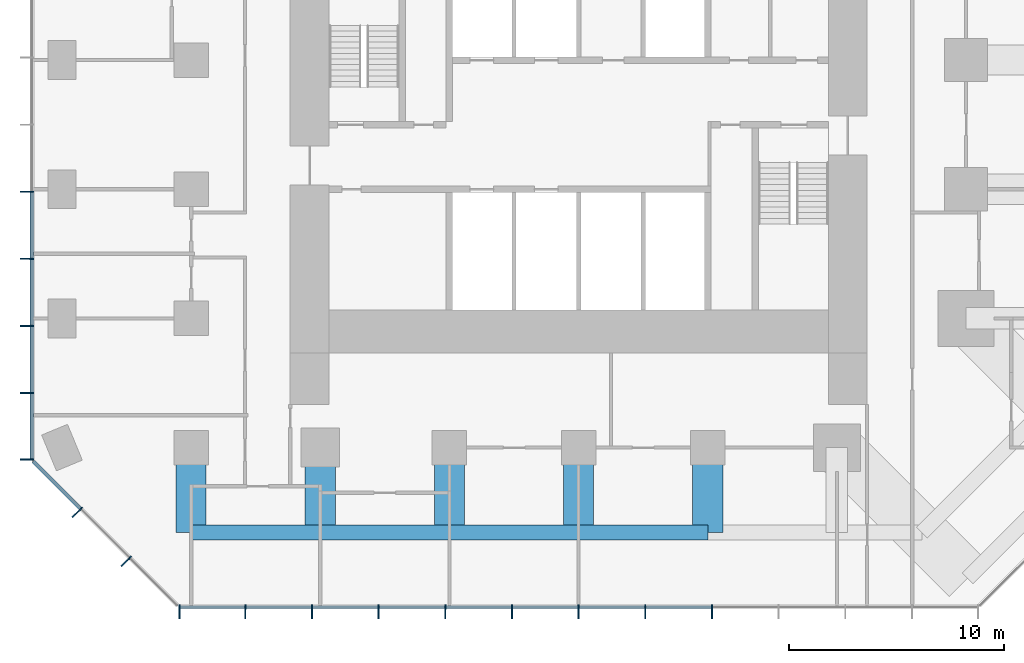
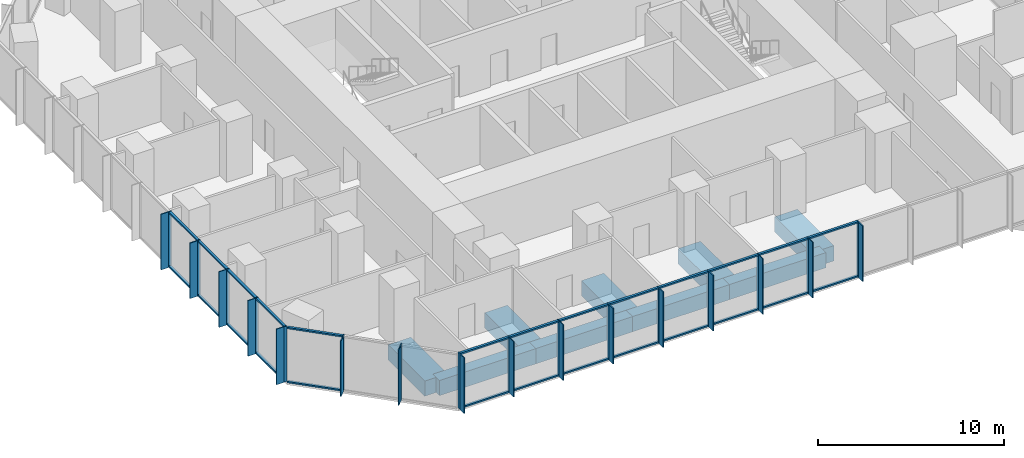
# One storey, part 2 of 12: 58 members, 9 beams, 3 elements without a shape of their own.
"""IFC4 building model written with IfcOpenShell, lengths in metres."""

from ifc_helpers import new_model, si_unit, direction, frame, origin, origin_2d, place, context, subcontext, project, spatial, rectangle, extrude, material, layer, layer_set, material_profile, profile_set, type_object, element, aggregate, save


model = new_model("IFC4")

# Units and contexts
model_context = context("Model", 3, precision=1e-05, world=origin(), true_north=direction((0.0, 1.0)))
body_context = subcontext(model_context, "Body", "Model", "MODEL_VIEW")
ifc_project = project(units=[si_unit("LENGTHUNIT", "METRE"), si_unit("AREAUNIT", "SQUARE_METRE"), si_unit("VOLUMEUNIT", "CUBIC_METRE"), si_unit("PLANEANGLEUNIT", "RADIAN"), si_unit("MASSUNIT", "GRAM", prefix="KILO")], contexts=[model_context])

# Site, building, storey
site_placement = place(None, origin())
site = spatial("IfcSite", under=ifc_project, at=site_placement, CompositionType="ELEMENT")
building_placement = place(site_placement, origin())
building = spatial("IfcBuilding", under=site, at=building_placement, Name="Highveld Stack Headquarters", CompositionType="ELEMENT")
storey_placement = place(building_placement, frame((0.0, 0.0, 160.10009765625)))
storey = spatial("IfcBuildingStorey", under=building, at=storey_placement, Name="L39", CompositionType="ELEMENT", Elevation=160.10009765625)

# Beams
ifc_material_1 = material(Name="Concrete C60/75", Category="concrete")
ifc_material_profile_1 = material_profile(ifc_material_1, rectangle(XDim=1.39990234375, YDim=1.0, at=origin_2d()), Name="RC 1400x1000")
ifc_profile_set_1 = profile_set([ifc_material_profile_1], Name="Concrete C60/75")
beam_type_1 = type_object("IfcBeamType", Name="CANTILEVER RIB RC 1400x1000", PredefinedType="USERDEFINED", material=ifc_profile_set_1)
for number, where, z_axis, x_axis, name in (
    (1, (-12.0, -12.0, -0.75), (0.0, -1.0, 0.0), (1.0, 0.0, 0.0), "Cantilever rib 4/C L39"),
    (2, (-6.0, -12.0, -0.75), (0.0, -1.0, 0.0), (1.0, 0.0, 0.0), "Cantilever rib 5/C L39"),
    (3, (0.0, -12.0, -0.75), (0.0, -1.0, 0.0), (1.0, 0.0, 0.0), "Cantilever rib 6/C L39"),
    (4, (6.0, -12.0, -0.75), (0.0, -1.0, 0.0), (1.0, 0.0, 0.0), "Cantilever rib 7/C L39"),
    (5, (12.0, -12.0, -0.75), (0.0, -1.0, 0.0), (1.0, 0.0, 0.0), "Cantilever rib 8/C L39"),
):
    element("IfcBeam", number, at=place(storey_placement, frame(where, z_axis=z_axis, x_axis=x_axis)), inside=storey, type_object=beam_type_1, Name=name, ObjectType="CANTILEVER RIB", PredefinedType="USERDEFINED", context=body_context, shape_type="SweptSolid", body=[
        extrude(rectangle(XDim=1.39990234375, YDim=1.0, at=origin_2d()), origin(), (0.0, 0.0, 1.0), 3.949951171875),
    ])

# Curtain wall, members
ifc_material_2 = material(Name="Aluminium bronze anodised", Category="aluminium")
ifc_layer_1 = layer(ifc_material_2, 0.199951171875)
ifc_layer_set_1 = layer_set([ifc_layer_1], Name="Aluminium bronze anodised")
curtain_wall_type_1 = type_object("IfcCurtainWallType", Name="CW1 TOWER UNITISED CURTAIN WALL", PredefinedType="NOTDEFINED", material=ifc_layer_set_1)
curtain_wall_1_placement = place(storey_placement, origin())
curtain_wall_1 = element("IfcCurtainWall", 6, at=curtain_wall_1_placement, inside=storey, type_object=curtain_wall_type_1, Name="Curtain wall CW1 L39 S", PredefinedType="NOTDEFINED")
ifc_material_3 = material(Name="Aluminium bronze anodised", Category="aluminium")
ifc_material_profile_2 = material_profile(ifc_material_3, rectangle(XDim=0.449951171875, YDim=0.06005859375, at=origin_2d()), Name="FIN 450x60")
ifc_profile_set_2 = profile_set([ifc_material_profile_2], Name="Aluminium bronze anodised")
member_type_1 = type_object("IfcMemberType", Name="CW1 BRONZE FIN 450x60", PredefinedType="USERDEFINED", material=ifc_profile_set_2)
member_1_placement = place(storey_placement, frame((-12.54736328125, -19.72509765625, 0.0), z_axis=(0.0, 0.0, 1.0), x_axis=(0.0, 1.0, 0.0)))
member_1 = element("IfcMember", 7, at=member_1_placement, type_object=member_type_1, Name="CW1 fin L39 1", ObjectType="FIN", PredefinedType="USERDEFINED", context=body_context, shape_type="SweptSolid", body=[
    extrude(rectangle(XDim=0.449951171875, YDim=0.06005859375, at=origin_2d()), origin(), (0.0, 0.0, 1.0), 3.64990234375),
])
member_2_placement = place(storey_placement, frame((-9.483154296875, -19.72509765625, 0.0), z_axis=(0.0, 0.0, 1.0), x_axis=(0.0, 1.0, 0.0)))
member_2 = element("IfcMember", 8, at=member_2_placement, type_object=member_type_1, Name="CW1 fin L39 2", ObjectType="FIN", PredefinedType="USERDEFINED", context=body_context, shape_type="SweptSolid", body=[
    extrude(rectangle(XDim=0.449951171875, YDim=0.06005859375, at=origin_2d()), origin(), (0.0, 0.0, 1.0), 3.64990234375),
])
member_3_placement = place(storey_placement, frame((-6.38671875, -19.72509765625, 0.0), z_axis=(0.0, 0.0, 1.0), x_axis=(0.0, 1.0, 0.0)))
member_3 = element("IfcMember", 9, at=member_3_placement, type_object=member_type_1, Name="CW1 fin L39 3", ObjectType="FIN", PredefinedType="USERDEFINED", context=body_context, shape_type="SweptSolid", body=[
    extrude(rectangle(XDim=0.449951171875, YDim=0.06005859375, at=origin_2d()), origin(), (0.0, 0.0, 1.0), 3.64990234375),
])
member_4_placement = place(storey_placement, frame((-3.2900390625, -19.72509765625, 0.0), z_axis=(0.0, 0.0, 1.0), x_axis=(0.0, 1.0, 0.0)))
member_4 = element("IfcMember", 10, at=member_4_placement, type_object=member_type_1, Name="CW1 fin L39 4", ObjectType="FIN", PredefinedType="USERDEFINED", context=body_context, shape_type="SweptSolid", body=[
    extrude(rectangle(XDim=0.449951171875, YDim=0.06005859375, at=origin_2d()), origin(), (0.0, 0.0, 1.0), 3.64990234375),
])
member_5_placement = place(storey_placement, frame((-0.193359375, -19.72509765625, 0.0), z_axis=(0.0, 0.0, 1.0), x_axis=(0.0, 1.0, 0.0)))
member_5 = element("IfcMember", 11, at=member_5_placement, type_object=member_type_1, Name="CW1 fin L39 5", ObjectType="FIN", PredefinedType="USERDEFINED", context=body_context, shape_type="SweptSolid", body=[
    extrude(rectangle(XDim=0.449951171875, YDim=0.06005859375, at=origin_2d()), origin(), (0.0, 0.0, 1.0), 3.64990234375),
])
member_6_placement = place(storey_placement, frame((2.9033203125, -19.72509765625, 0.0), z_axis=(0.0, 0.0, 1.0), x_axis=(0.0, 1.0, 0.0)))
member_6 = element("IfcMember", 12, at=member_6_placement, type_object=member_type_1, Name="CW1 fin L39 6", ObjectType="FIN", PredefinedType="USERDEFINED", context=body_context, shape_type="SweptSolid", body=[
    extrude(rectangle(XDim=0.449951171875, YDim=0.06005859375, at=origin_2d()), origin(), (0.0, 0.0, 1.0), 3.64990234375),
])
member_7_placement = place(storey_placement, frame((6.0, -19.72509765625, 0.0), z_axis=(0.0, 0.0, 1.0), x_axis=(0.0, 1.0, 0.0)))
member_7 = element("IfcMember", 13, at=member_7_placement, type_object=member_type_1, Name="CW1 fin L39 7", ObjectType="FIN", PredefinedType="USERDEFINED", context=body_context, shape_type="SweptSolid", body=[
    extrude(rectangle(XDim=0.449951171875, YDim=0.06005859375, at=origin_2d()), origin(), (0.0, 0.0, 1.0), 3.64990234375),
])
member_8_placement = place(storey_placement, frame((9.0966796875, -19.72509765625, 0.0), z_axis=(0.0, 0.0, 1.0), x_axis=(0.0, 1.0, 0.0)))
member_8 = element("IfcMember", 14, at=member_8_placement, type_object=member_type_1, Name="CW1 fin L39 8", ObjectType="FIN", PredefinedType="USERDEFINED", context=body_context, shape_type="SweptSolid", body=[
    extrude(rectangle(XDim=0.449951171875, YDim=0.06005859375, at=origin_2d()), origin(), (0.0, 0.0, 1.0), 3.64990234375),
])
member_9_placement = place(storey_placement, frame((12.193359375, -19.72509765625, 0.0), z_axis=(0.0, 0.0, 1.0), x_axis=(0.0, 1.0, 0.0)))
member_9 = element("IfcMember", 15, at=member_9_placement, type_object=member_type_1, Name="CW1 fin L39 9", ObjectType="FIN", PredefinedType="USERDEFINED", context=body_context, shape_type="SweptSolid", body=[
    extrude(rectangle(XDim=0.449951171875, YDim=0.06005859375, at=origin_2d()), origin(), (0.0, 0.0, 1.0), 3.64990234375),
])

curtain_wall_2_placement = place(storey_placement, origin())
curtain_wall_2 = element("IfcCurtainWall", 16, at=curtain_wall_2_placement, inside=storey, type_object=curtain_wall_type_1, Name="Curtain wall CW1 L39 W", PredefinedType="NOTDEFINED")
member_10_placement = place(storey_placement, frame((-19.72509765625, -0.115966796875, 0.0), z_axis=(0.0, 0.0, 1.0), x_axis=(1.0, 0.0, 0.0)))
member_10 = element("IfcMember", 17, at=member_10_placement, type_object=member_type_1, Name="CW1 fin L39 7", ObjectType="FIN", PredefinedType="USERDEFINED", context=body_context, shape_type="SweptSolid", body=[
    extrude(rectangle(XDim=0.449951171875, YDim=0.06005859375, at=origin_2d()), origin(), (0.0, 0.0, 1.0), 3.64990234375),
])
member_11_placement = place(storey_placement, frame((-19.72509765625, -3.23193359375, 0.0), z_axis=(0.0, 0.0, 1.0), x_axis=(1.0, 0.0, 0.0)))
member_11 = element("IfcMember", 18, at=member_11_placement, type_object=member_type_1, Name="CW1 fin L39 8", ObjectType="FIN", PredefinedType="USERDEFINED", context=body_context, shape_type="SweptSolid", body=[
    extrude(rectangle(XDim=0.449951171875, YDim=0.06005859375, at=origin_2d()), origin(), (0.0, 0.0, 1.0), 3.64990234375),
])
member_12_placement = place(storey_placement, frame((-19.72509765625, -6.347900390625, 0.0), z_axis=(0.0, 0.0, 1.0), x_axis=(1.0, 0.0, 0.0)))
member_12 = element("IfcMember", 19, at=member_12_placement, type_object=member_type_1, Name="CW1 fin L39 9", ObjectType="FIN", PredefinedType="USERDEFINED", context=body_context, shape_type="SweptSolid", body=[
    extrude(rectangle(XDim=0.449951171875, YDim=0.06005859375, at=origin_2d()), origin(), (0.0, 0.0, 1.0), 3.64990234375),
])
member_13_placement = place(storey_placement, frame((-19.72509765625, -9.4638671875, 0.0), z_axis=(0.0, 0.0, 1.0), x_axis=(1.0, 0.0, 0.0)))
member_13 = element("IfcMember", 20, at=member_13_placement, type_object=member_type_1, Name="CW1 fin L39 10", ObjectType="FIN", PredefinedType="USERDEFINED", context=body_context, shape_type="SweptSolid", body=[
    extrude(rectangle(XDim=0.449951171875, YDim=0.06005859375, at=origin_2d()), origin(), (0.0, 0.0, 1.0), 3.64990234375),
])
member_14_placement = place(storey_placement, frame((-19.72509765625, -12.54736328125, 0.0), z_axis=(0.0, 0.0, 1.0), x_axis=(1.0, 0.0, 0.0)))
member_14 = element("IfcMember", 21, at=member_14_placement, type_object=member_type_1, Name="CW1 fin L39 11", ObjectType="FIN", PredefinedType="USERDEFINED", context=body_context, shape_type="SweptSolid", body=[
    extrude(rectangle(XDim=0.449951171875, YDim=0.06005859375, at=origin_2d()), origin(), (0.0, 0.0, 1.0), 3.64990234375),
])

# Member
ifc_material_4 = material(Name="Aluminium bronze anodised", Category="aluminium")
ifc_material_profile_3 = material_profile(ifc_material_4, rectangle(XDim=0.199951171875, YDim=0.06494140625, at=origin_2d()), Name="CW1 MULLION 65x200")
ifc_profile_set_3 = profile_set([ifc_material_profile_3], Name="Aluminium bronze anodised")
member_type_2 = type_object("IfcMemberType", Name="CW1 MULLION 65x200", PredefinedType="MULLION", material=ifc_profile_set_3)
member_15_placement = place(storey_placement, frame((-12.54736328125, -19.39990234375, 0.0), z_axis=(0.0, 0.0, 1.0), x_axis=(0.0, 1.0, 0.0)))
member_15 = element("IfcMember", 22, at=member_15_placement, type_object=member_type_2, Name="CW1 mullion L39 1", PredefinedType="MULLION", context=body_context, shape_type="SweptSolid", body=[
    extrude(rectangle(XDim=0.199951171875, YDim=0.06494140625, at=origin_2d()), origin(), (0.0, 0.0, 1.0), 3.64990234375),
])

member_16_placement = place(storey_placement, frame((-9.483154296875, -19.39990234375, 0.0), z_axis=(0.0, 0.0, 1.0), x_axis=(0.0, 1.0, 0.0)))
member_16 = element("IfcMember", 23, at=member_16_placement, type_object=member_type_2, Name="CW1 mullion L39 2", PredefinedType="MULLION", context=body_context, shape_type="SweptSolid", body=[
    extrude(rectangle(XDim=0.199951171875, YDim=0.06494140625, at=origin_2d()), origin(), (0.0, 0.0, 1.0), 3.64990234375),
])

member_17_placement = place(storey_placement, frame((-6.38671875, -19.39990234375, 0.0), z_axis=(0.0, 0.0, 1.0), x_axis=(0.0, 1.0, 0.0)))
member_17 = element("IfcMember", 24, at=member_17_placement, type_object=member_type_2, Name="CW1 mullion L39 3", PredefinedType="MULLION", context=body_context, shape_type="SweptSolid", body=[
    extrude(rectangle(XDim=0.199951171875, YDim=0.06494140625, at=origin_2d()), origin(), (0.0, 0.0, 1.0), 3.64990234375),
])

member_18_placement = place(storey_placement, frame((-3.2900390625, -19.39990234375, 0.0), z_axis=(0.0, 0.0, 1.0), x_axis=(0.0, 1.0, 0.0)))
member_18 = element("IfcMember", 25, at=member_18_placement, type_object=member_type_2, Name="CW1 mullion L39 4", PredefinedType="MULLION", context=body_context, shape_type="SweptSolid", body=[
    extrude(rectangle(XDim=0.199951171875, YDim=0.06494140625, at=origin_2d()), origin(), (0.0, 0.0, 1.0), 3.64990234375),
])

member_19_placement = place(storey_placement, frame((-0.193359375, -19.39990234375, 0.0), z_axis=(0.0, 0.0, 1.0), x_axis=(0.0, 1.0, 0.0)))
member_19 = element("IfcMember", 26, at=member_19_placement, type_object=member_type_2, Name="CW1 mullion L39 5", PredefinedType="MULLION", context=body_context, shape_type="SweptSolid", body=[
    extrude(rectangle(XDim=0.199951171875, YDim=0.06494140625, at=origin_2d()), origin(), (0.0, 0.0, 1.0), 3.64990234375),
])

member_20_placement = place(storey_placement, frame((2.9033203125, -19.39990234375, 0.0), z_axis=(0.0, 0.0, 1.0), x_axis=(0.0, 1.0, 0.0)))
member_20 = element("IfcMember", 27, at=member_20_placement, type_object=member_type_2, Name="CW1 mullion L39 6", PredefinedType="MULLION", context=body_context, shape_type="SweptSolid", body=[
    extrude(rectangle(XDim=0.199951171875, YDim=0.06494140625, at=origin_2d()), origin(), (0.0, 0.0, 1.0), 3.64990234375),
])

member_21_placement = place(storey_placement, frame((6.0, -19.39990234375, 0.0), z_axis=(0.0, 0.0, 1.0), x_axis=(0.0, 1.0, 0.0)))
member_21 = element("IfcMember", 28, at=member_21_placement, type_object=member_type_2, Name="CW1 mullion L39 7", PredefinedType="MULLION", context=body_context, shape_type="SweptSolid", body=[
    extrude(rectangle(XDim=0.199951171875, YDim=0.06494140625, at=origin_2d()), origin(), (0.0, 0.0, 1.0), 3.64990234375),
])

member_22_placement = place(storey_placement, frame((9.0966796875, -19.39990234375, 0.0), z_axis=(0.0, 0.0, 1.0), x_axis=(0.0, 1.0, 0.0)))
member_22 = element("IfcMember", 29, at=member_22_placement, type_object=member_type_2, Name="CW1 mullion L39 8", PredefinedType="MULLION", context=body_context, shape_type="SweptSolid", body=[
    extrude(rectangle(XDim=0.199951171875, YDim=0.06494140625, at=origin_2d()), origin(), (0.0, 0.0, 1.0), 3.64990234375),
])

member_23_placement = place(storey_placement, frame((12.193359375, -19.39990234375, 0.0), z_axis=(0.0, 0.0, 1.0), x_axis=(0.0, 1.0, 0.0)))
member_23 = element("IfcMember", 30, at=member_23_placement, type_object=member_type_2, Name="CW1 mullion L39 9", PredefinedType="MULLION", context=body_context, shape_type="SweptSolid", body=[
    extrude(rectangle(XDim=0.199951171875, YDim=0.06494140625, at=origin_2d()), origin(), (0.0, 0.0, 1.0), 3.64990234375),
])

member_24_placement = place(storey_placement, frame((-19.39990234375, -0.115966796875, 0.0), z_axis=(0.0, 0.0, 1.0), x_axis=(1.0, 0.0, 0.0)))
member_24 = element("IfcMember", 31, at=member_24_placement, type_object=member_type_2, Name="CW1 mullion L39 7", PredefinedType="MULLION", context=body_context, shape_type="SweptSolid", body=[
    extrude(rectangle(XDim=0.199951171875, YDim=0.06494140625, at=origin_2d()), origin(), (0.0, 0.0, 1.0), 3.64990234375),
])

member_25_placement = place(storey_placement, frame((-19.39990234375, -3.23193359375, 0.0), z_axis=(0.0, 0.0, 1.0), x_axis=(1.0, 0.0, 0.0)))
member_25 = element("IfcMember", 32, at=member_25_placement, type_object=member_type_2, Name="CW1 mullion L39 8", PredefinedType="MULLION", context=body_context, shape_type="SweptSolid", body=[
    extrude(rectangle(XDim=0.199951171875, YDim=0.06494140625, at=origin_2d()), origin(), (0.0, 0.0, 1.0), 3.64990234375),
])

member_26_placement = place(storey_placement, frame((-19.39990234375, -6.347900390625, 0.0), z_axis=(0.0, 0.0, 1.0), x_axis=(1.0, 0.0, 0.0)))
member_26 = element("IfcMember", 33, at=member_26_placement, type_object=member_type_2, Name="CW1 mullion L39 9", PredefinedType="MULLION", context=body_context, shape_type="SweptSolid", body=[
    extrude(rectangle(XDim=0.199951171875, YDim=0.06494140625, at=origin_2d()), origin(), (0.0, 0.0, 1.0), 3.64990234375),
])

member_27_placement = place(storey_placement, frame((-19.39990234375, -9.4638671875, 0.0), z_axis=(0.0, 0.0, 1.0), x_axis=(1.0, 0.0, 0.0)))
member_27 = element("IfcMember", 34, at=member_27_placement, type_object=member_type_2, Name="CW1 mullion L39 10", PredefinedType="MULLION", context=body_context, shape_type="SweptSolid", body=[
    extrude(rectangle(XDim=0.199951171875, YDim=0.06494140625, at=origin_2d()), origin(), (0.0, 0.0, 1.0), 3.64990234375),
])

member_28_placement = place(storey_placement, frame((-19.39990234375, -12.54736328125, 0.0), z_axis=(0.0, 0.0, 1.0), x_axis=(1.0, 0.0, 0.0)))
member_28 = element("IfcMember", 35, at=member_28_placement, type_object=member_type_2, Name="CW1 mullion L39 11", PredefinedType="MULLION", context=body_context, shape_type="SweptSolid", body=[
    extrude(rectangle(XDim=0.199951171875, YDim=0.06494140625, at=origin_2d()), origin(), (0.0, 0.0, 1.0), 3.64990234375),
])

ifc_material_5 = material(Name="Aluminium bronze anodised", Category="aluminium")
ifc_material_profile_4 = material_profile(ifc_material_5, rectangle(XDim=0.14990234375, YDim=0.10009765625, at=origin_2d()), Name="CW1 TRANSOM 150x100")
ifc_profile_set_4 = profile_set([ifc_material_profile_4], Name="Aluminium bronze anodised")
member_type_3 = type_object("IfcMemberType", Name="CW1 STACK TRANSOM 150x100", PredefinedType="USERDEFINED", material=ifc_profile_set_4)
member_29_placement = place(storey_placement, frame((-12.514892578125, -19.39990234375, 0.0498046875), z_axis=(1.0, 0.0, 0.0), x_axis=(0.0, 1.0, 0.0)))
member_29 = element("IfcMember", 36, at=member_29_placement, type_object=member_type_3, Name="CW1 transom L39 1.1", ObjectType="TRANSOM", PredefinedType="USERDEFINED", context=body_context, shape_type="SweptSolid", body=[
    extrude(rectangle(XDim=0.14990234375, YDim=0.10009765625, at=origin_2d()), origin(), (0.0, 0.0, 1.0), 2.9990234375),
])

member_30_placement = place(storey_placement, frame((-12.514892578125, -19.39990234375, 3.599853515625), z_axis=(1.0, 0.0, 0.0), x_axis=(0.0, 1.0, 0.0)))
member_30 = element("IfcMember", 37, at=member_30_placement, type_object=member_type_3, Name="CW1 transom L39 1.2", ObjectType="TRANSOM", PredefinedType="USERDEFINED", context=body_context, shape_type="SweptSolid", body=[
    extrude(rectangle(XDim=0.14990234375, YDim=0.10009765625, at=origin_2d()), origin(), (0.0, 0.0, 1.0), 2.9990234375),
])

member_31_placement = place(storey_placement, frame((-9.45068359375, -19.39990234375, 0.0498046875), z_axis=(1.0, 0.0, 0.0), x_axis=(0.0, 1.0, 0.0)))
member_31 = element("IfcMember", 38, at=member_31_placement, type_object=member_type_3, Name="CW1 transom L39 2.1", ObjectType="TRANSOM", PredefinedType="USERDEFINED", context=body_context, shape_type="SweptSolid", body=[
    extrude(rectangle(XDim=0.14990234375, YDim=0.10009765625, at=origin_2d()), origin(), (0.0, 0.0, 1.0), 3.031494140625),
])

member_32_placement = place(storey_placement, frame((-9.45068359375, -19.39990234375, 3.599853515625), z_axis=(1.0, 0.0, 0.0), x_axis=(0.0, 1.0, 0.0)))
member_32 = element("IfcMember", 39, at=member_32_placement, type_object=member_type_3, Name="CW1 transom L39 2.2", ObjectType="TRANSOM", PredefinedType="USERDEFINED", context=body_context, shape_type="SweptSolid", body=[
    extrude(rectangle(XDim=0.14990234375, YDim=0.10009765625, at=origin_2d()), origin(), (0.0, 0.0, 1.0), 3.031494140625),
])

member_33_placement = place(storey_placement, frame((-6.35400390625, -19.39990234375, 0.0498046875), z_axis=(1.0, 0.0, 0.0), x_axis=(0.0, 1.0, 0.0)))
member_33 = element("IfcMember", 40, at=member_33_placement, type_object=member_type_3, Name="CW1 transom L39 3.1", ObjectType="TRANSOM", PredefinedType="USERDEFINED", context=body_context, shape_type="SweptSolid", body=[
    extrude(rectangle(XDim=0.14990234375, YDim=0.10009765625, at=origin_2d()), origin(), (0.0, 0.0, 1.0), 3.031494140625),
])

member_34_placement = place(storey_placement, frame((-6.35400390625, -19.39990234375, 3.599853515625), z_axis=(1.0, 0.0, 0.0), x_axis=(0.0, 1.0, 0.0)))
member_34 = element("IfcMember", 41, at=member_34_placement, type_object=member_type_3, Name="CW1 transom L39 3.2", ObjectType="TRANSOM", PredefinedType="USERDEFINED", context=body_context, shape_type="SweptSolid", body=[
    extrude(rectangle(XDim=0.14990234375, YDim=0.10009765625, at=origin_2d()), origin(), (0.0, 0.0, 1.0), 3.031494140625),
])

member_35_placement = place(storey_placement, frame((-3.257568359375, -19.39990234375, 0.0498046875), z_axis=(1.0, 0.0, 0.0), x_axis=(0.0, 1.0, 0.0)))
member_35 = element("IfcMember", 42, at=member_35_placement, type_object=member_type_3, Name="CW1 transom L39 4.1", ObjectType="TRANSOM", PredefinedType="USERDEFINED", context=body_context, shape_type="SweptSolid", body=[
    extrude(rectangle(XDim=0.14990234375, YDim=0.10009765625, at=origin_2d()), origin(), (0.0, 0.0, 1.0), 3.03173828125),
])

member_36_placement = place(storey_placement, frame((-3.257568359375, -19.39990234375, 3.599853515625), z_axis=(1.0, 0.0, 0.0), x_axis=(0.0, 1.0, 0.0)))
member_36 = element("IfcMember", 43, at=member_36_placement, type_object=member_type_3, Name="CW1 transom L39 4.2", ObjectType="TRANSOM", PredefinedType="USERDEFINED", context=body_context, shape_type="SweptSolid", body=[
    extrude(rectangle(XDim=0.14990234375, YDim=0.10009765625, at=origin_2d()), origin(), (0.0, 0.0, 1.0), 3.03173828125),
])

member_37_placement = place(storey_placement, frame((-0.160888671875, -19.39990234375, 0.0498046875), z_axis=(1.0, 0.0, 0.0), x_axis=(0.0, 1.0, 0.0)))
member_37 = element("IfcMember", 44, at=member_37_placement, type_object=member_type_3, Name="CW1 transom L39 5.1", ObjectType="TRANSOM", PredefinedType="USERDEFINED", context=body_context, shape_type="SweptSolid", body=[
    extrude(rectangle(XDim=0.14990234375, YDim=0.10009765625, at=origin_2d()), origin(), (0.0, 0.0, 1.0), 3.03173828125),
])

member_38_placement = place(storey_placement, frame((-0.160888671875, -19.39990234375, 3.599853515625), z_axis=(1.0, 0.0, 0.0), x_axis=(0.0, 1.0, 0.0)))
member_38 = element("IfcMember", 45, at=member_38_placement, type_object=member_type_3, Name="CW1 transom L39 5.2", ObjectType="TRANSOM", PredefinedType="USERDEFINED", context=body_context, shape_type="SweptSolid", body=[
    extrude(rectangle(XDim=0.14990234375, YDim=0.10009765625, at=origin_2d()), origin(), (0.0, 0.0, 1.0), 3.03173828125),
])

member_39_placement = place(storey_placement, frame((2.935791015625, -19.39990234375, 0.0498046875), z_axis=(1.0, 0.0, 0.0), x_axis=(0.0, 1.0, 0.0)))
member_39 = element("IfcMember", 46, at=member_39_placement, type_object=member_type_3, Name="CW1 transom L39 6.1", ObjectType="TRANSOM", PredefinedType="USERDEFINED", context=body_context, shape_type="SweptSolid", body=[
    extrude(rectangle(XDim=0.14990234375, YDim=0.10009765625, at=origin_2d()), origin(), (0.0, 0.0, 1.0), 3.03173828125),
])

member_40_placement = place(storey_placement, frame((2.935791015625, -19.39990234375, 3.599853515625), z_axis=(1.0, 0.0, 0.0), x_axis=(0.0, 1.0, 0.0)))
member_40 = element("IfcMember", 47, at=member_40_placement, type_object=member_type_3, Name="CW1 transom L39 6.2", ObjectType="TRANSOM", PredefinedType="USERDEFINED", context=body_context, shape_type="SweptSolid", body=[
    extrude(rectangle(XDim=0.14990234375, YDim=0.10009765625, at=origin_2d()), origin(), (0.0, 0.0, 1.0), 3.03173828125),
])

member_41_placement = place(storey_placement, frame((6.032470703125, -19.39990234375, 0.0498046875), z_axis=(1.0, 0.0, 0.0), x_axis=(0.0, 1.0, 0.0)))
member_41 = element("IfcMember", 48, at=member_41_placement, type_object=member_type_3, Name="CW1 transom L39 7.1", ObjectType="TRANSOM", PredefinedType="USERDEFINED", context=body_context, shape_type="SweptSolid", body=[
    extrude(rectangle(XDim=0.14990234375, YDim=0.10009765625, at=origin_2d()), origin(), (0.0, 0.0, 1.0), 3.03173828125),
])

member_42_placement = place(storey_placement, frame((6.032470703125, -19.39990234375, 3.599853515625), z_axis=(1.0, 0.0, 0.0), x_axis=(0.0, 1.0, 0.0)))
member_42 = element("IfcMember", 49, at=member_42_placement, type_object=member_type_3, Name="CW1 transom L39 7.2", ObjectType="TRANSOM", PredefinedType="USERDEFINED", context=body_context, shape_type="SweptSolid", body=[
    extrude(rectangle(XDim=0.14990234375, YDim=0.10009765625, at=origin_2d()), origin(), (0.0, 0.0, 1.0), 3.03173828125),
])

member_43_placement = place(storey_placement, frame((9.129150390625, -19.39990234375, 0.0498046875), z_axis=(1.0, 0.0, 0.0), x_axis=(0.0, 1.0, 0.0)))
member_43 = element("IfcMember", 50, at=member_43_placement, type_object=member_type_3, Name="CW1 transom L39 8.1", ObjectType="TRANSOM", PredefinedType="USERDEFINED", context=body_context, shape_type="SweptSolid", body=[
    extrude(rectangle(XDim=0.14990234375, YDim=0.10009765625, at=origin_2d()), origin(), (0.0, 0.0, 1.0), 3.03173828125),
])

member_44_placement = place(storey_placement, frame((9.129150390625, -19.39990234375, 3.599853515625), z_axis=(1.0, 0.0, 0.0), x_axis=(0.0, 1.0, 0.0)))
member_44 = element("IfcMember", 51, at=member_44_placement, type_object=member_type_3, Name="CW1 transom L39 8.2", ObjectType="TRANSOM", PredefinedType="USERDEFINED", context=body_context, shape_type="SweptSolid", body=[
    extrude(rectangle(XDim=0.14990234375, YDim=0.10009765625, at=origin_2d()), origin(), (0.0, 0.0, 1.0), 3.03173828125),
])

aggregate(curtain_wall_1, [member_15, member_1, member_16, member_2, member_17, member_3, member_18, member_4, member_19, member_5, member_20, member_6, member_21, member_7, member_22, member_8, member_23, member_9, member_29, member_30, member_31, member_32, member_33, member_34, member_35, member_36, member_37, member_38, member_39, member_40, member_41, member_42, member_43, member_44])

member_45_placement = place(storey_placement, frame((-19.39990234375, -0.1484375, 0.0498046875), z_axis=(0.0, -1.0, 0.0), x_axis=(1.0, 0.0, 0.0)))
member_45 = element("IfcMember", 52, at=member_45_placement, type_object=member_type_3, Name="CW1 transom L39 7.1", ObjectType="TRANSOM", PredefinedType="USERDEFINED", context=body_context, shape_type="SweptSolid", body=[
    extrude(rectangle(XDim=0.14990234375, YDim=0.10009765625, at=origin_2d()), origin(), (0.0, 0.0, 1.0), 3.051025390625),
])

member_46_placement = place(storey_placement, frame((-19.39990234375, -0.1484375, 3.599853515625), z_axis=(0.0, -1.0, 0.0), x_axis=(1.0, 0.0, 0.0)))
member_46 = element("IfcMember", 53, at=member_46_placement, type_object=member_type_3, Name="CW1 transom L39 7.2", ObjectType="TRANSOM", PredefinedType="USERDEFINED", context=body_context, shape_type="SweptSolid", body=[
    extrude(rectangle(XDim=0.14990234375, YDim=0.10009765625, at=origin_2d()), origin(), (0.0, 0.0, 1.0), 3.051025390625),
])

member_47_placement = place(storey_placement, frame((-19.39990234375, -3.264404296875, 0.0498046875), z_axis=(0.0, -1.0, 0.0), x_axis=(1.0, 0.0, 0.0)))
member_47 = element("IfcMember", 54, at=member_47_placement, type_object=member_type_3, Name="CW1 transom L39 8.1", ObjectType="TRANSOM", PredefinedType="USERDEFINED", context=body_context, shape_type="SweptSolid", body=[
    extrude(rectangle(XDim=0.14990234375, YDim=0.10009765625, at=origin_2d()), origin(), (0.0, 0.0, 1.0), 3.051025390625),
])

member_48_placement = place(storey_placement, frame((-19.39990234375, -3.264404296875, 3.599853515625), z_axis=(0.0, -1.0, 0.0), x_axis=(1.0, 0.0, 0.0)))
member_48 = element("IfcMember", 55, at=member_48_placement, type_object=member_type_3, Name="CW1 transom L39 8.2", ObjectType="TRANSOM", PredefinedType="USERDEFINED", context=body_context, shape_type="SweptSolid", body=[
    extrude(rectangle(XDim=0.14990234375, YDim=0.10009765625, at=origin_2d()), origin(), (0.0, 0.0, 1.0), 3.051025390625),
])

member_49_placement = place(storey_placement, frame((-19.39990234375, -6.38037109375, 0.0498046875), z_axis=(0.0, -1.0, 0.0), x_axis=(1.0, 0.0, 0.0)))
member_49 = element("IfcMember", 56, at=member_49_placement, type_object=member_type_3, Name="CW1 transom L39 9.1", ObjectType="TRANSOM", PredefinedType="USERDEFINED", context=body_context, shape_type="SweptSolid", body=[
    extrude(rectangle(XDim=0.14990234375, YDim=0.10009765625, at=origin_2d()), origin(), (0.0, 0.0, 1.0), 3.051025390625),
])

member_50_placement = place(storey_placement, frame((-19.39990234375, -6.38037109375, 3.599853515625), z_axis=(0.0, -1.0, 0.0), x_axis=(1.0, 0.0, 0.0)))
member_50 = element("IfcMember", 57, at=member_50_placement, type_object=member_type_3, Name="CW1 transom L39 9.2", ObjectType="TRANSOM", PredefinedType="USERDEFINED", context=body_context, shape_type="SweptSolid", body=[
    extrude(rectangle(XDim=0.14990234375, YDim=0.10009765625, at=origin_2d()), origin(), (0.0, 0.0, 1.0), 3.051025390625),
])

member_51_placement = place(storey_placement, frame((-19.39990234375, -9.496337890625, 0.0498046875), z_axis=(0.0, -1.0, 0.0), x_axis=(1.0, 0.0, 0.0)))
member_51 = element("IfcMember", 58, at=member_51_placement, type_object=member_type_3, Name="CW1 transom L39 10.1", ObjectType="TRANSOM", PredefinedType="USERDEFINED", context=body_context, shape_type="SweptSolid", body=[
    extrude(rectangle(XDim=0.14990234375, YDim=0.10009765625, at=origin_2d()), origin(), (0.0, 0.0, 1.0), 3.0185546875),
])

member_52_placement = place(storey_placement, frame((-19.39990234375, -9.496337890625, 3.599853515625), z_axis=(0.0, -1.0, 0.0), x_axis=(1.0, 0.0, 0.0)))
member_52 = element("IfcMember", 59, at=member_52_placement, type_object=member_type_3, Name="CW1 transom L39 10.2", ObjectType="TRANSOM", PredefinedType="USERDEFINED", context=body_context, shape_type="SweptSolid", body=[
    extrude(rectangle(XDim=0.14990234375, YDim=0.10009765625, at=origin_2d()), origin(), (0.0, 0.0, 1.0), 3.0185546875),
])

aggregate(curtain_wall_2, [member_24, member_10, member_25, member_11, member_26, member_12, member_27, member_13, member_28, member_14, member_45, member_46, member_47, member_48, member_49, member_50, member_51, member_52])

# Curtain wall, members
ifc_material_6 = material(Name="Aluminium bronze anodised", Category="aluminium")
ifc_layer_2 = layer(ifc_material_6, 0.199951171875)
ifc_layer_set_2 = layer_set([ifc_layer_2], Name="Aluminium bronze anodised")
curtain_wall_type_2 = type_object("IfcCurtainWallType", Name="CW2 TOWER CHAMFER UNITISED CURTAIN WALL", PredefinedType="NOTDEFINED", material=ifc_layer_set_2)
curtain_wall_3_placement = place(storey_placement, origin())
curtain_wall_3 = element("IfcCurtainWall", 60, at=curtain_wall_3_placement, inside=storey, type_object=curtain_wall_type_2, Name="Curtain wall CW2 L39 SW", PredefinedType="NOTDEFINED")
ifc_material_7 = material(Name="Aluminium bronze anodised", Category="aluminium")
ifc_material_profile_5 = material_profile(ifc_material_7, rectangle(XDim=0.449951171875, YDim=0.06005859375, at=origin_2d()), Name="FIN 450x60")
ifc_profile_set_5 = profile_set([ifc_material_profile_5], Name="Aluminium bronze anodised")
member_type_4 = type_object("IfcMemberType", Name="CW2 BRONZE FIN 450x60", PredefinedType="USERDEFINED", material=ifc_profile_set_5)
member_53_placement = place(storey_placement, frame((-17.3564453125, -15.0830078125, 0.0), z_axis=(0.0, 0.0, 1.0), x_axis=(0.707106781187, 0.707106781187, 0.0)))
member_53 = element("IfcMember", 61, at=member_53_placement, type_object=member_type_4, Name="CW2 fin L39 1", ObjectType="FIN", PredefinedType="USERDEFINED", context=body_context, shape_type="SweptSolid", body=[
    extrude(rectangle(XDim=0.449951171875, YDim=0.06005859375, at=origin_2d()), origin(), (0.0, 0.0, 1.0), 3.64990234375),
])
member_54_placement = place(storey_placement, frame((-15.0830078125, -17.3564453125, 0.0), z_axis=(0.0, 0.0, 1.0), x_axis=(0.707106781187, 0.707106781187, 0.0)))
member_54 = element("IfcMember", 62, at=member_54_placement, type_object=member_type_4, Name="CW2 fin L39 2", ObjectType="FIN", PredefinedType="USERDEFINED", context=body_context, shape_type="SweptSolid", body=[
    extrude(rectangle(XDim=0.449951171875, YDim=0.06005859375, at=origin_2d()), origin(), (0.0, 0.0, 1.0), 3.64990234375),
])
ifc_material_8 = material(Name="Aluminium bronze anodised", Category="aluminium")
ifc_material_profile_6 = material_profile(ifc_material_8, rectangle(XDim=0.199951171875, YDim=0.06494140625, at=origin_2d()), Name="CW2 MULLION 65x200")
ifc_profile_set_6 = profile_set([ifc_material_profile_6], Name="Aluminium bronze anodised")
member_type_5 = type_object("IfcMemberType", Name="CW2 MULLION 65x200", PredefinedType="MULLION", material=ifc_profile_set_6)
member_55_placement = place(storey_placement, frame((-17.126708984375, -14.853271484375, 0.0), z_axis=(0.0, 0.0, 1.0), x_axis=(0.707106781187, 0.707106781187, 0.0)))
member_55 = element("IfcMember", 63, at=member_55_placement, type_object=member_type_5, Name="CW2 mullion L39 1", PredefinedType="MULLION", context=body_context, shape_type="SweptSolid", body=[
    extrude(rectangle(XDim=0.199951171875, YDim=0.06494140625, at=origin_2d()), origin(), (0.0, 0.0, 1.0), 3.64990234375),
])
member_56_placement = place(storey_placement, frame((-14.853271484375, -17.126708984375, 0.0), z_axis=(0.0, 0.0, 1.0), x_axis=(0.707106781187, 0.707106781187, 0.0)))
member_56 = element("IfcMember", 64, at=member_56_placement, type_object=member_type_5, Name="CW2 mullion L39 2", PredefinedType="MULLION", context=body_context, shape_type="SweptSolid", body=[
    extrude(rectangle(XDim=0.199951171875, YDim=0.06494140625, at=origin_2d()), origin(), (0.0, 0.0, 1.0), 3.64990234375),
])
ifc_material_9 = material(Name="Aluminium bronze anodised", Category="aluminium")
ifc_material_profile_7 = material_profile(ifc_material_9, rectangle(XDim=0.14990234375, YDim=0.10009765625, at=origin_2d()), Name="CW2 TRANSOM 150x100")
ifc_profile_set_7 = profile_set([ifc_material_profile_7], Name="Aluminium bronze anodised")
member_type_6 = type_object("IfcMemberType", Name="CW2 STACK TRANSOM 150x100", PredefinedType="USERDEFINED", material=ifc_profile_set_7)
member_57_placement = place(storey_placement, frame((-19.329345703125, -12.650634765625, 0.0498046875), z_axis=(0.707106781187, -0.707106781187, 0.0), x_axis=(0.707106781187, 0.707106781187, 0.0)))
member_57 = element("IfcMember", 65, at=member_57_placement, type_object=member_type_6, Name="CW2 transom L39 1.1", ObjectType="TRANSOM", PredefinedType="USERDEFINED", context=body_context, shape_type="SweptSolid", body=[
    extrude(rectangle(XDim=0.14990234375, YDim=0.10009765625, at=origin_2d()), origin(), (0.0, 0.0, 1.0), 3.08251953125),
])
member_58_placement = place(storey_placement, frame((-19.329345703125, -12.650634765625, 3.599853515625), z_axis=(0.707106781187, -0.707106781187, 0.0), x_axis=(0.707106781187, 0.707106781187, 0.0)))
member_58 = element("IfcMember", 66, at=member_58_placement, type_object=member_type_6, Name="CW2 transom L39 1.2", ObjectType="TRANSOM", PredefinedType="USERDEFINED", context=body_context, shape_type="SweptSolid", body=[
    extrude(rectangle(XDim=0.14990234375, YDim=0.10009765625, at=origin_2d()), origin(), (0.0, 0.0, 1.0), 3.08251953125),
])
aggregate(curtain_wall_3, [member_55, member_53, member_56, member_54, member_57, member_58])

# Beams
ifc_material_10 = material(Name="Concrete C60/75", Category="concrete")
ifc_material_profile_8 = material_profile(ifc_material_10, rectangle(XDim=0.699951171875, YDim=1.0, at=origin_2d()), Name="RC 700x1000")
ifc_profile_set_8 = profile_set([ifc_material_profile_8], Name="Concrete C60/75")
beam_type_2 = type_object("IfcBeamType", Name="RIB TIP BEAM RC 700x1000", PredefinedType="SPANDREL", material=ifc_profile_set_8)
for number, where, z_axis, x_axis, name in (
    (67, (-12.0, -15.949951171875, -0.75), (1.0, 0.0, 0.0), (0.0, 1.0, 0.0), "Rib tip beam 4/C to 5/C L39"),
    (68, (-6.0, -15.949951171875, -0.75), (1.0, 0.0, 0.0), (0.0, 1.0, 0.0), "Rib tip beam 5/C to 6/C L39"),
    (69, (0.0, -15.949951171875, -0.75), (1.0, 0.0, 0.0), (0.0, 1.0, 0.0), "Rib tip beam 6/C to 7/C L39"),
    (70, (6.0, -15.949951171875, -0.75), (1.0, 0.0, 0.0), (0.0, 1.0, 0.0), "Rib tip beam 7/C to 8/C L39"),
):
    element("IfcBeam", number, at=place(storey_placement, frame(where, z_axis=z_axis, x_axis=x_axis)), inside=storey, type_object=beam_type_2, Name=name, PredefinedType="SPANDREL", context=body_context, shape_type="SweptSolid", body=[
        extrude(rectangle(XDim=0.699951171875, YDim=1.0, at=origin_2d()), origin(), (0.0, 0.0, 1.0), 6.0),
    ])

save(model, "model.ifc")
